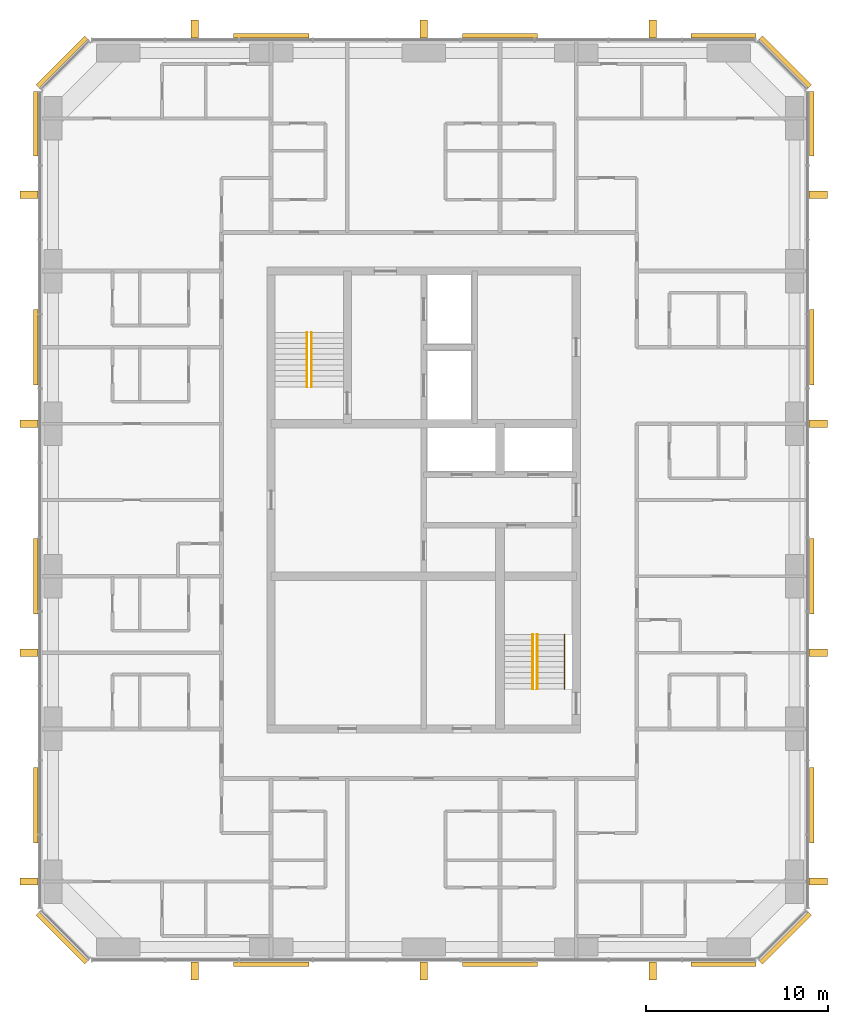
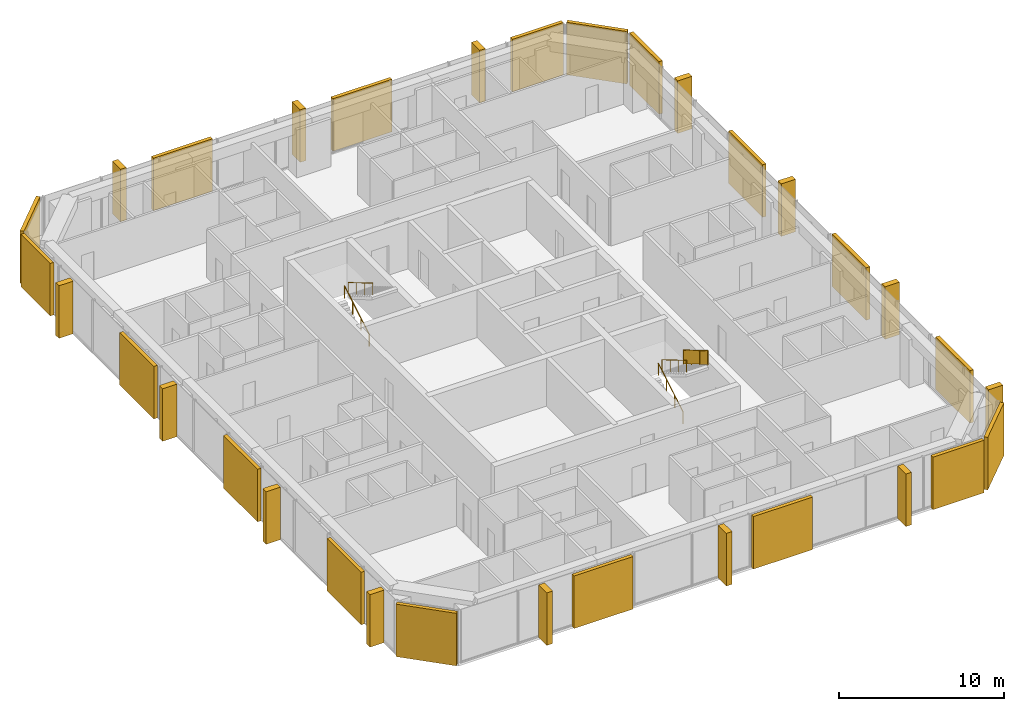
# One storey, part 12 of 12: 18 coverings, 14 shading devices, 5 railings.
"""IFC4 building model written with IfcOpenShell, lengths in metres."""

from ifc_helpers import new_model, si_unit, direction, frame, origin, origin_2d, place, context, subcontext, project, spatial, polyline, rectangle, circle, outline, extrude, material, layer, layer_set, type_object, element, save


model = new_model("IFC4")

# Units and contexts
model_context = context("Model", 3, precision=1e-05, world=origin(), true_north=direction((0.0, 1.0)))
body_context = subcontext(model_context, "Body", "Model", "MODEL_VIEW")
ifc_project = project(units=[si_unit("LENGTHUNIT", "METRE"), si_unit("AREAUNIT", "SQUARE_METRE"), si_unit("VOLUMEUNIT", "CUBIC_METRE"), si_unit("PLANEANGLEUNIT", "RADIAN"), si_unit("MASSUNIT", "GRAM", prefix="KILO")], contexts=[model_context])

# Site, building, storey
site_placement = place(None, origin())
site = spatial("IfcSite", under=ifc_project, at=site_placement, CompositionType="ELEMENT")
building_placement = place(site_placement, origin())
building = spatial("IfcBuilding", under=site, at=building_placement, Name="Dunama Terrace Hotel", CompositionType="ELEMENT")
storey_placement = place(building_placement, frame((0.0, 0.0, 264.60009765625)))
storey = spatial("IfcBuildingStorey", under=building, at=storey_placement, Name="L68", CompositionType="ELEMENT", Elevation=264.60009765625)

# Railings
ifc_material_1 = material(Name="Stainless steel and laminated glass guard", Category="steel")
railing_type_1 = type_object("IfcRailingType", Name="Guard 1100", PredefinedType="GUARDRAIL", material=ifc_material_1)
railing_1_placement = place(storey_placement, frame((41.35009765625, 22.0, 2.127197265625)))
element("IfcRailing", 1, at=railing_1_placement, inside=storey, type_object=railing_type_1, Name="Stair guard ST2 L68", PredefinedType="GUARDRAIL", context=body_context, shape_type="SweptSolid", body=[
    extrude(circle(Radius=0.02392578125, at=origin_2d()), frame((0.0, 0.0, 1.076171875), z_axis=(0.0, -0.86092931783, 0.508724591208), x_axis=(1.0, 0.0, 0.0)), (0.0, 0.0, 1.0), 3.484619140625),
    extrude(circle(Radius=0.02099609375, at=origin_2d()), origin(), (0.0, 0.0, 1.0), 1.052001953125),
    extrude(circle(Radius=0.02099609375, at=origin_2d()), frame((0.0, -1.0, 0.5908203125)), (0.0, 0.0, 1.0), 1.052001953125),
    extrude(circle(Radius=0.02099609375, at=origin_2d()), frame((0.0, -2.0, 1.181884765625)), (0.0, 0.0, 1.0), 1.052001953125),
    extrude(circle(Radius=0.02099609375, at=origin_2d()), frame((0.0, -3.0, 1.772705078125)), (0.0, 0.0, 1.0), 1.052001953125),
    extrude(outline(polyline([(0.0048828125, 0.052978515625), (0.9951171875, 0.63818359375), (0.9951171875, 1.6640625), (0.0048828125, 1.078857421875), (0.0048828125, 0.052978515625)])), frame((0.0087890625, 0.0, 0.0), z_axis=(-1.0, 0.0, 0.0), x_axis=(0.0, -1.0, 0.0)), (0.0, 0.0, 1.0), 0.017578125),
    extrude(outline(polyline([(0.0048828125, 0.052978515625), (0.9951171875, 0.63818359375), (0.9951171875, 1.6640625), (0.0048828125, 1.078857421875), (0.0048828125, 0.052978515625)])), frame((0.0087890625, -1.0, 0.5908203125), z_axis=(-1.0, 0.0, 0.0), x_axis=(0.0, -1.0, 0.0)), (0.0, 0.0, 1.0), 0.017578125),
    extrude(outline(polyline([(0.0048828125, 0.052978515625), (0.9951171875, 0.63818359375), (0.9951171875, 1.6640625), (0.0048828125, 1.078857421875), (0.0048828125, 0.052978515625)])), frame((0.0087890625, -2.0, 1.181884765625), z_axis=(-1.0, 0.0, 0.0), x_axis=(0.0, -1.0, 0.0)), (0.0, 0.0, 1.0), 0.017578125),
])
ifc_material_2 = material(Name="Stainless steel handrail", Category="steel")
railing_type_2 = type_object("IfcRailingType", Name="Stair handrail 900", PredefinedType="HANDRAIL", material=ifc_material_2)
railing_2_placement = place(storey_placement, frame((27.175048828125, 35.625, 0.17724609375)))
element("IfcRailing", 2, at=railing_2_placement, inside=storey, type_object=railing_type_2, Name="Handrail ST1 L68", PredefinedType="HANDRAIL", context=body_context, shape_type="SweptSolid", body=[
    extrude(circle(Radius=0.02392578125, at=origin_2d()), frame((0.0, 0.0, 0.8759765625), z_axis=(0.0, 0.86092931783, 0.508724591208), x_axis=(-1.0, 0.0, 0.0)), (0.0, 0.0, 1.0), 3.484619140625),
    extrude(circle(Radius=0.02099609375, at=origin_2d()), origin(), (0.0, 0.0, 1.0), 0.851806640625),
    extrude(circle(Radius=0.02099609375, at=origin_2d()), frame((0.0, 1.0, 0.5908203125)), (0.0, 0.0, 1.0), 0.851806640625),
    extrude(circle(Radius=0.02099609375, at=origin_2d()), frame((0.0, 2.0, 1.181884765625)), (0.0, 0.0, 1.0), 0.851806640625),
    extrude(circle(Radius=0.02099609375, at=origin_2d()), frame((0.0, 3.0, 1.772705078125)), (0.0, 0.0, 1.0), 0.851806640625),
])
railing_3_placement = place(storey_placement, frame((27.425048828125, 38.625, 2.127197265625)))
element("IfcRailing", 3, at=railing_3_placement, inside=storey, type_object=railing_type_2, Name="Handrail ST1 L68", PredefinedType="HANDRAIL", context=body_context, shape_type="SweptSolid", body=[
    extrude(circle(Radius=0.02392578125, at=origin_2d()), frame((0.0, 0.0, 0.8759765625), z_axis=(0.0, -0.86092931783, 0.508724591208), x_axis=(1.0, 0.0, 0.0)), (0.0, 0.0, 1.0), 3.484619140625),
    extrude(circle(Radius=0.02099609375, at=origin_2d()), origin(), (0.0, 0.0, 1.0), 0.851806640625),
    extrude(circle(Radius=0.02099609375, at=origin_2d()), frame((0.0, -1.0, 0.5908203125)), (0.0, 0.0, 1.0), 0.851806640625),
    extrude(circle(Radius=0.02099609375, at=origin_2d()), frame((0.0, -2.0, 1.181884765625)), (0.0, 0.0, 1.0), 0.851806640625),
    extrude(circle(Radius=0.02099609375, at=origin_2d()), frame((0.0, -3.0, 1.772705078125)), (0.0, 0.0, 1.0), 0.851806640625),
])
railing_4_placement = place(storey_placement, frame((39.60009765625, 19.0, 0.17724609375)))
element("IfcRailing", 4, at=railing_4_placement, inside=storey, type_object=railing_type_2, Name="Handrail ST2 L68", PredefinedType="HANDRAIL", context=body_context, shape_type="SweptSolid", body=[
    extrude(circle(Radius=0.02392578125, at=origin_2d()), frame((0.0, 0.0, 0.8759765625), z_axis=(0.0, 0.86092931783, 0.508724591208), x_axis=(-1.0, 0.0, 0.0)), (0.0, 0.0, 1.0), 3.484619140625),
    extrude(circle(Radius=0.02099609375, at=origin_2d()), origin(), (0.0, 0.0, 1.0), 0.851806640625),
    extrude(circle(Radius=0.02099609375, at=origin_2d()), frame((0.0, 1.0, 0.5908203125)), (0.0, 0.0, 1.0), 0.851806640625),
    extrude(circle(Radius=0.02099609375, at=origin_2d()), frame((0.0, 2.0, 1.181884765625)), (0.0, 0.0, 1.0), 0.851806640625),
    extrude(circle(Radius=0.02099609375, at=origin_2d()), frame((0.0, 3.0, 1.772705078125)), (0.0, 0.0, 1.0), 0.851806640625),
])
railing_5_placement = place(storey_placement, frame((39.85009765625, 22.0, 2.127197265625)))
element("IfcRailing", 5, at=railing_5_placement, inside=storey, type_object=railing_type_2, Name="Handrail ST2 L68", PredefinedType="HANDRAIL", context=body_context, shape_type="SweptSolid", body=[
    extrude(circle(Radius=0.02392578125, at=origin_2d()), frame((0.0, 0.0, 0.8759765625), z_axis=(0.0, -0.86092931783, 0.508724591208), x_axis=(1.0, 0.0, 0.0)), (0.0, 0.0, 1.0), 3.484619140625),
    extrude(circle(Radius=0.02099609375, at=origin_2d()), origin(), (0.0, 0.0, 1.0), 0.851806640625),
    extrude(circle(Radius=0.02099609375, at=origin_2d()), frame((0.0, -1.0, 0.5908203125)), (0.0, 0.0, 1.0), 0.851806640625),
    extrude(circle(Radius=0.02099609375, at=origin_2d()), frame((0.0, -2.0, 1.181884765625)), (0.0, 0.0, 1.0), 0.851806640625),
    extrude(circle(Radius=0.02099609375, at=origin_2d()), frame((0.0, -3.0, 1.772705078125)), (0.0, 0.0, 1.0), 0.851806640625),
])

# Coverings
ifc_material_3 = material(Name="Warm reconstituted stone panel", Category="masonry")
ifc_layer_1 = layer(ifc_material_3, 0.25)
ifc_layer_set_1 = layer_set([ifc_layer_1], Name="Stone diagonal panel")
covering_type = type_object("IfcCoveringType", Name="Stone diagonal panel", PredefinedType="CLADDING", material=ifc_layer_set_1)
for number, where, z_axis, x_axis, name in (
    (6, (25.199951171875, 3.8369140625, 0.001953125), (0.0, 0.0, 1.0), (1.0, 0.0, 0.0), "Stone diagonal panel L68"),
    (7, (37.800048828125, 3.8369140625, 0.001953125), (0.0, 0.0, 1.0), (1.0, 0.0, 0.0), "Stone diagonal panel L68"),
):
    element("IfcCovering", number, at=place(storey_placement, frame(where, z_axis=z_axis, x_axis=x_axis)), inside=storey, type_object=covering_type, Name=name, PredefinedType="CLADDING", context=body_context, shape_type="SweptSolid", body=[
        extrude(rectangle(XDim=4.14990234375, YDim=0.25, at=origin_2d()), origin(), (0.0, 0.0, 1.0), 3.89599609375),
    ])
covering_1_placement = place(storey_placement, frame((50.110107421875, 3.8369140625, 0.001953125), z_axis=(0.0, 0.0, 1.0), x_axis=(1.0, 0.0, 0.0)))
element("IfcCovering", 8, at=covering_1_placement, inside=storey, type_object=covering_type, Name="Stone diagonal panel L68", PredefinedType="CLADDING", context=body_context, shape_type="SweptSolid", body=[
    extrude(rectangle(XDim=3.570068359375, YDim=0.25, at=origin_2d()), origin(), (0.0, 0.0, 1.0), 3.89599609375),
])
covering_2_placement = place(storey_placement, frame((53.507080078125, 5.29296875, 0.001953125), z_axis=(0.0, 0.0, 1.0), x_axis=(0.707106781187, 0.707106781187, 0.0)))
element("IfcCovering", 9, at=covering_2_placement, inside=storey, type_object=covering_type, Name="Stone diagonal panel L68", PredefinedType="CLADDING", context=body_context, shape_type="SweptSolid", body=[
    extrude(rectangle(XDim=3.808349609375, YDim=0.25, at=origin_2d()), origin(), (0.0, 0.0, 1.0), 3.89599609375),
])
for number, where, z_axis, x_axis, name in (
    (10, (54.962890625, 12.60009765625, 0.001953125), (0.0, 0.0, 1.0), (0.0, 1.0, 0.0), "Stone diagonal panel L68"),
    (11, (54.962890625, 25.199951171875, 0.001953125), (0.0, 0.0, 1.0), (0.0, 1.0, 0.0), "Stone diagonal panel L68"),
    (12, (54.962890625, 37.800048828125, 0.001953125), (0.0, 0.0, 1.0), (0.0, 1.0, 0.0), "Stone diagonal panel L68"),
):
    element("IfcCovering", number, at=place(storey_placement, frame(where, z_axis=z_axis, x_axis=x_axis)), inside=storey, type_object=covering_type, Name=name, PredefinedType="CLADDING", context=body_context, shape_type="SweptSolid", body=[
        extrude(rectangle(XDim=4.14990234375, YDim=0.25, at=origin_2d()), origin(), (0.0, 0.0, 1.0), 3.89599609375),
    ])
covering_3_placement = place(storey_placement, frame((54.962890625, 50.110107421875, 0.001953125), z_axis=(0.0, 0.0, 1.0), x_axis=(0.0, 1.0, 0.0)))
element("IfcCovering", 13, at=covering_3_placement, inside=storey, type_object=covering_type, Name="Stone diagonal panel L68", PredefinedType="CLADDING", context=body_context, shape_type="SweptSolid", body=[
    extrude(rectangle(XDim=3.570068359375, YDim=0.25, at=origin_2d()), origin(), (0.0, 0.0, 1.0), 3.89599609375),
])
covering_4_placement = place(storey_placement, frame((53.507080078125, 53.507080078125, 0.001953125), z_axis=(0.0, 0.0, 1.0), x_axis=(-0.707106781187, 0.707106781187, 0.0)))
element("IfcCovering", 14, at=covering_4_placement, inside=storey, type_object=covering_type, Name="Stone diagonal panel L68", PredefinedType="CLADDING", context=body_context, shape_type="SweptSolid", body=[
    extrude(rectangle(XDim=3.808349609375, YDim=0.25, at=origin_2d()), origin(), (0.0, 0.0, 1.0), 3.89599609375),
])
covering_5_placement = place(storey_placement, frame((50.110107421875, 54.962890625, 0.001953125), z_axis=(0.0, 0.0, 1.0), x_axis=(-1.0, 0.0, 0.0)))
element("IfcCovering", 15, at=covering_5_placement, inside=storey, type_object=covering_type, Name="Stone diagonal panel L68", PredefinedType="CLADDING", context=body_context, shape_type="SweptSolid", body=[
    extrude(rectangle(XDim=3.570068359375, YDim=0.25, at=origin_2d()), origin(), (0.0, 0.0, 1.0), 3.89599609375),
])
for number, where, z_axis, x_axis, name in (
    (16, (37.800048828125, 54.962890625, 0.001953125), (0.0, 0.0, 1.0), (-1.0, 0.0, 0.0), "Stone diagonal panel L68"),
    (17, (25.199951171875, 54.962890625, 0.001953125), (0.0, 0.0, 1.0), (-1.0, 0.0, 0.0), "Stone diagonal panel L68"),
):
    element("IfcCovering", number, at=place(storey_placement, frame(where, z_axis=z_axis, x_axis=x_axis)), inside=storey, type_object=covering_type, Name=name, PredefinedType="CLADDING", context=body_context, shape_type="SweptSolid", body=[
        extrude(rectangle(XDim=4.14990234375, YDim=0.25, at=origin_2d()), origin(), (0.0, 0.0, 1.0), 3.89599609375),
    ])
covering_6_placement = place(storey_placement, frame((13.693115234375, 53.507080078125, 0.001953125), z_axis=(0.0, 0.0, 1.0), x_axis=(-0.707106781187, -0.707106781187, 0.0)))
element("IfcCovering", 18, at=covering_6_placement, inside=storey, type_object=covering_type, Name="Stone diagonal panel L68", PredefinedType="CLADDING", context=body_context, shape_type="SweptSolid", body=[
    extrude(rectangle(XDim=3.808349609375, YDim=0.25, at=origin_2d()), origin(), (0.0, 0.0, 1.0), 3.89599609375),
])
covering_7_placement = place(storey_placement, frame((12.237060546875, 50.110107421875, 0.001953125), z_axis=(0.0, 0.0, 1.0), x_axis=(0.0, -1.0, 0.0)))
element("IfcCovering", 19, at=covering_7_placement, inside=storey, type_object=covering_type, Name="Stone diagonal panel L68", PredefinedType="CLADDING", context=body_context, shape_type="SweptSolid", body=[
    extrude(rectangle(XDim=3.570068359375, YDim=0.25, at=origin_2d()), origin(), (0.0, 0.0, 1.0), 3.89599609375),
])
for number, where, z_axis, x_axis, name in (
    (20, (12.237060546875, 37.800048828125, 0.001953125), (0.0, 0.0, 1.0), (0.0, -1.0, 0.0), "Stone diagonal panel L68"),
    (21, (12.237060546875, 25.199951171875, 0.001953125), (0.0, 0.0, 1.0), (0.0, -1.0, 0.0), "Stone diagonal panel L68"),
    (22, (12.237060546875, 12.60009765625, 0.001953125), (0.0, 0.0, 1.0), (0.0, -1.0, 0.0), "Stone diagonal panel L68"),
):
    element("IfcCovering", number, at=place(storey_placement, frame(where, z_axis=z_axis, x_axis=x_axis)), inside=storey, type_object=covering_type, Name=name, PredefinedType="CLADDING", context=body_context, shape_type="SweptSolid", body=[
        extrude(rectangle(XDim=4.14990234375, YDim=0.25, at=origin_2d()), origin(), (0.0, 0.0, 1.0), 3.89599609375),
    ])
covering_8_placement = place(storey_placement, frame((13.693115234375, 5.29296875, 0.001953125), z_axis=(0.0, 0.0, 1.0), x_axis=(0.707106781187, -0.707106781187, 0.0)))
element("IfcCovering", 23, at=covering_8_placement, inside=storey, type_object=covering_type, Name="Stone diagonal panel L68", PredefinedType="CLADDING", context=body_context, shape_type="SweptSolid", body=[
    extrude(rectangle(XDim=3.808349609375, YDim=0.25, at=origin_2d()), origin(), (0.0, 0.0, 1.0), 3.89599609375),
])

# Shading devices
ifc_material_4 = material(Name="Warm reconstituted stone fin", Category="masonry")
ifc_layer_2 = layer(ifc_material_4, 0.39990234375)
ifc_layer_set_2 = layer_set([ifc_layer_2], Name="Warm stone fin 400x1000")
shading_device_type = type_object("IfcShadingDeviceType", Name="Warm stone fin 400x1000", PredefinedType="USERDEFINED", material=ifc_layer_set_2)
for number, where, z_axis, x_axis, name in (
    (24, (21.0, 3.48193359375, 0.0), (0.0, 0.0, 1.0), (1.0, 0.0, 0.0), "Stone fin"),
    (25, (33.60009765625, 3.48193359375, 0.0), (0.0, 0.0, 1.0), (1.0, 0.0, 0.0), "Stone fin"),
    (26, (46.199951171875, 3.48193359375, 0.0), (0.0, 0.0, 1.0), (1.0, 0.0, 0.0), "Stone fin"),
    (27, (55.318115234375, 8.39990234375, 0.0), (0.0, 0.0, 1.0), (0.0, 1.0, 0.0), "Stone fin"),
    (28, (55.318115234375, 21.0, 0.0), (0.0, 0.0, 1.0), (0.0, 1.0, 0.0), "Stone fin"),
    (29, (55.318115234375, 33.60009765625, 0.0), (0.0, 0.0, 1.0), (0.0, 1.0, 0.0), "Stone fin"),
    (30, (55.318115234375, 46.199951171875, 0.0), (0.0, 0.0, 1.0), (0.0, 1.0, 0.0), "Stone fin"),
    (31, (46.199951171875, 55.318115234375, 0.0), (0.0, 0.0, 1.0), (-1.0, 0.0, 0.0), "Stone fin"),
    (32, (33.60009765625, 55.318115234375, 0.0), (0.0, 0.0, 1.0), (-1.0, 0.0, 0.0), "Stone fin"),
    (33, (21.0, 55.318115234375, 0.0), (0.0, 0.0, 1.0), (-1.0, 0.0, 0.0), "Stone fin"),
    (34, (11.882080078125, 46.199951171875, 0.0), (0.0, 0.0, 1.0), (0.0, -1.0, 0.0), "Stone fin"),
    (35, (11.882080078125, 33.60009765625, 0.0), (0.0, 0.0, 1.0), (0.0, -1.0, 0.0), "Stone fin"),
    (36, (11.882080078125, 21.0, 0.0), (0.0, 0.0, 1.0), (0.0, -1.0, 0.0), "Stone fin"),
    (37, (11.882080078125, 8.39990234375, 0.0), (0.0, 0.0, 1.0), (0.0, -1.0, 0.0), "Stone fin"),
):
    element("IfcShadingDevice", number, at=place(storey_placement, frame(where, z_axis=z_axis, x_axis=x_axis)), inside=storey, type_object=shading_device_type, Name=name, ObjectType="FIN", PredefinedType="USERDEFINED", context=body_context, shape_type="SweptSolid", body=[
        extrude(rectangle(XDim=0.39990234375, YDim=1.0, at=origin_2d()), origin(), (0.0, 0.0, 1.0), 3.89990234375),
    ])

save(model, "model.ifc")
